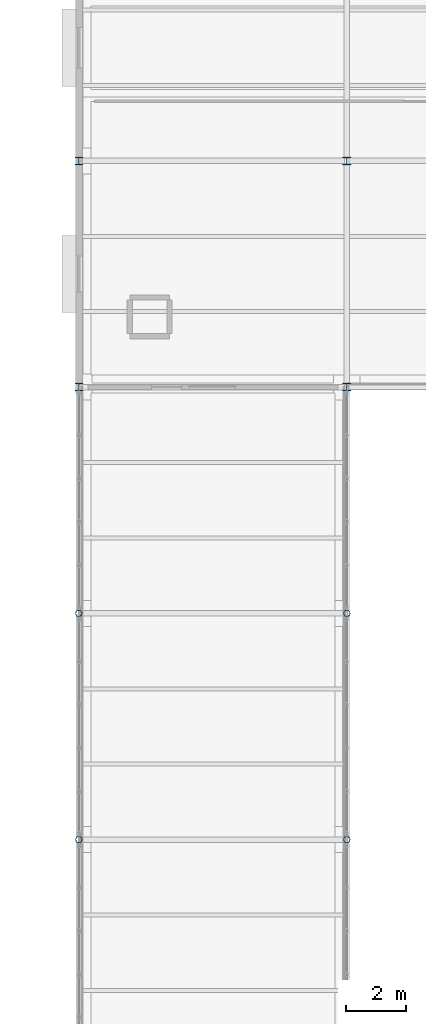
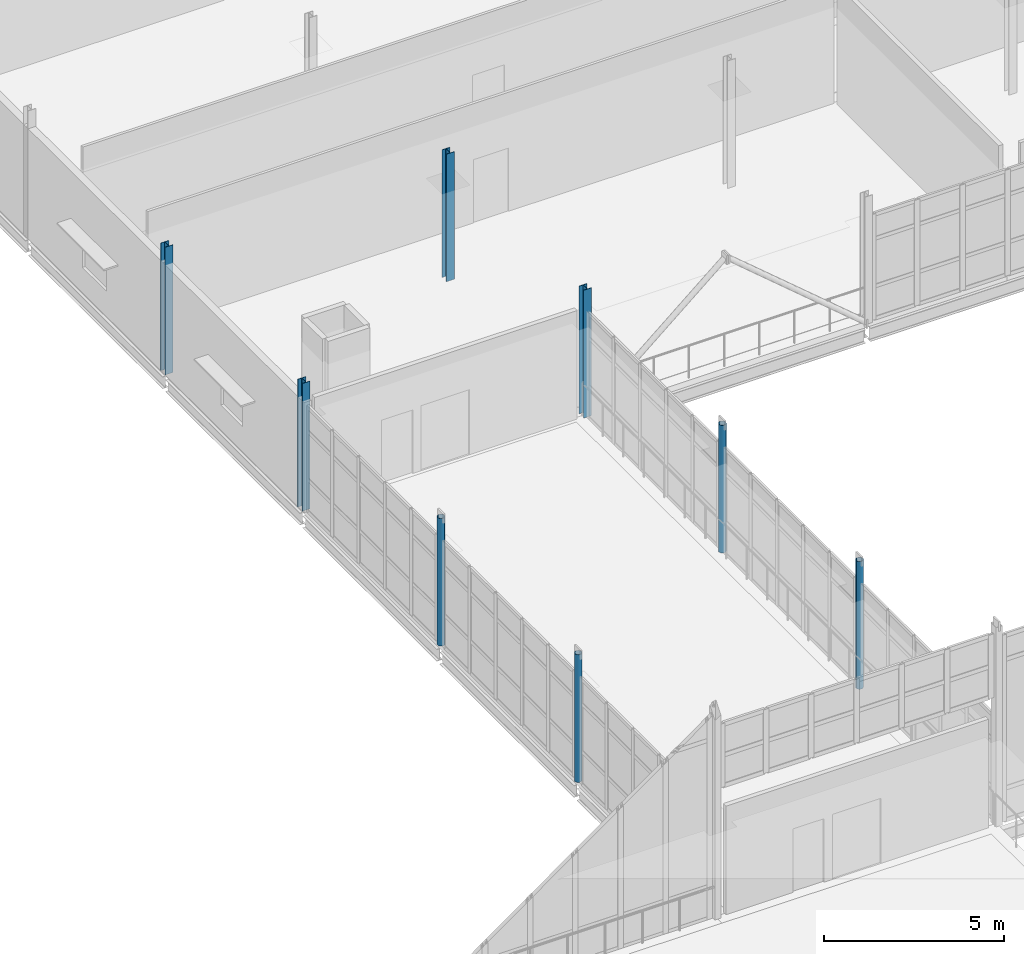
# One storey, part 11 of 166: 8 columns.
"""IFC4 building model written with IfcOpenShell, lengths in metres."""

import ifcopenshell
import ifcopenshell.guid

model = None  # the IFC model being written
_history = None  # IfcOwnerHistory: only IFC2X3 demands one
_inside = {}  # id of a spatial element -> (the spatial element, [elements in it])
_under = {}  # id of a project, library or spatial element -> (it, [spatial elements below it])
_declared = {}  # id of a project -> (the project, [libraries it declares])
_typed = {}  # id of a type object -> (the type object, [elements of that type])
_made_of = {}  # id of a material, layer set ... -> (it, [elements and type objects made of it])


def new_model(schema):
    """Start an empty IFC model of exactly this schema.

    Asked for "IFC4X3", IfcOpenShell would pick the latest addendum, in which some entities
    have other attributes; the version numbers below select the first issue.
    IFC2X3 requires an IfcOwnerHistory on every rooted entity: one is made here for all.
    """
    global model, _history
    if schema == "IFC4X3":
        model = ifcopenshell.file(schema_version=(4, 3, 0, 0))
    else:
        model = ifcopenshell.file(schema=schema)
    _inside.clear()
    _under.clear()
    _declared.clear()
    _typed.clear()
    _made_of.clear()
    _history = None
    if model.schema == "IFC2X3":
        org = make("IfcOrganization", Name="unknown")
        user = make(
            "IfcPersonAndOrganization",
            ThePerson=make("IfcPerson", FamilyName="unknown"),
            TheOrganization=org,
        )
        app = make(
            "IfcApplication",
            ApplicationDeveloper=org,
            Version="unknown",
            ApplicationFullName="unknown",
            ApplicationIdentifier="unknown",
        )
        _history = make(
            "IfcOwnerHistory",
            OwningUser=user,
            OwningApplication=app,
            ChangeAction="ADDED",
            CreationDate=0,
        )
    return model


def make(cls, **values):
    """One entity of the class cls with the attributes given. An attribute that is None is left unset."""
    return model.create_entity(
        cls, **{name: value for name, value in values.items() if value is not None}
    )


def rooted(cls, **values):
    """An entity with a GlobalId (a new one), such as an element, a storey or a relation."""
    return make(cls, GlobalId=ifcopenshell.guid.new(), OwnerHistory=_history, **values)


def si_unit(unit_type, name, prefix=None):
    """IfcSIUnit, for example si_unit("LENGTHUNIT", "METRE", prefix="MILLI")."""
    return make("IfcSIUnit", UnitType=unit_type, Prefix=prefix, Name=name)


def assignment(units):
    """IfcUnitAssignment: the units of a project."""
    return None if units is None else make("IfcUnitAssignment", Units=units)


def point(xyz):
    """IfcCartesianPoint."""
    return None if xyz is None else make("IfcCartesianPoint", Coordinates=xyz)


def direction(xyz):
    """IfcDirection."""
    return None if xyz is None else make("IfcDirection", DirectionRatios=xyz)


def frame(location, z_axis=None, x_axis=None):
    """IfcAxis2Placement3D, a coordinate frame: its origin and axes. An axis left out is left unset."""
    return make(
        "IfcAxis2Placement3D",
        Location=point(location),
        Axis=direction(z_axis),
        RefDirection=direction(x_axis),
    )


def frame_2d(location, x_axis=None):
    """IfcAxis2Placement2D, a coordinate frame in the plane: its origin and x axis."""
    return make(
        "IfcAxis2Placement2D", Location=point(location), RefDirection=direction(x_axis)
    )


def origin():
    """The frame at (0, 0, 0) with its axes left unset."""
    return frame((0.0, 0.0, 0.0))


def origin_2d():
    """The frame at (0, 0) in the plane with its x axis left unset."""
    return frame_2d((0.0, 0.0))


def place(relative_to, where):
    """IfcLocalPlacement: puts the frame where relative to a parent placement (None: the world)."""
    return make(
        "IfcLocalPlacement", PlacementRelTo=relative_to, RelativePlacement=where
    )


def context(
    kind, dimensions, precision=None, world=None, true_north=None, identifier=None
):
    """IfcGeometricRepresentationContext, for example the 3D "Model" context."""
    return make(
        "IfcGeometricRepresentationContext",
        ContextIdentifier=identifier,
        ContextType=kind,
        CoordinateSpaceDimension=dimensions,
        Precision=precision,
        WorldCoordinateSystem=world,
        TrueNorth=true_north,
    )


def subcontext(parent, identifier, kind, view, scale=None):
    """IfcGeometricRepresentationSubContext, for example "Body" below "Model"."""
    return make(
        "IfcGeometricRepresentationSubContext",
        ContextIdentifier=identifier,
        ContextType=kind,
        ParentContext=parent,
        TargetScale=scale,
        TargetView=view,
    )


def project(units=None, contexts=None):
    """IfcProject with its units and contexts."""
    return rooted(
        "IfcProject",
        Name="project",
        RepresentationContexts=contexts,
        UnitsInContext=assignment(units),
    )


def spatial(cls, under=None, at=None, **own):
    """A site, building, storey or space (cls), placed at a placement, below another one or the project."""
    s = rooted(cls, ObjectPlacement=at, **own)
    if under is not None:
        _under.setdefault(under.id(), (under, []))[1].append(s)
    return s


def profile(cls, at=None, kind="AREA", **sizes):
    """A parametric profile (cls). Its sizes go by their IFC names, for example OverallWidth=200.0."""
    return make(cls, ProfileType=kind, Position=at, **sizes)


def hollow_circle(**sizes):
    """IfcCircleHollowProfileDef."""
    return profile("IfcCircleHollowProfileDef", **sizes)


def i_section(**sizes):
    """IfcIShapeProfileDef."""
    return profile("IfcIShapeProfileDef", **sizes)


def extrude(swept, where, along, depth):
    """IfcExtrudedAreaSolid: the profile swept, set in the frame where, extruded along a direction by depth."""
    return make(
        "IfcExtrudedAreaSolid",
        SweptArea=swept,
        Position=where,
        ExtrudedDirection=direction(along),
        Depth=depth,
    )


def shape(context_of_items, identifier, shape_type, items):
    """IfcShapeRepresentation: the items that make up one representation, for example the "Body"."""
    return make(
        "IfcShapeRepresentation",
        ContextOfItems=context_of_items,
        RepresentationIdentifier=identifier,
        RepresentationType=shape_type,
        Items=items,
    )


def material(Name=None, Category=None):
    """IfcMaterial."""
    return make("IfcMaterial", Name=Name, Category=Category)


def material_profile(
    of_material, cross_section, Name=None, Category=None, Priority=None
):
    """IfcMaterialProfile: a cross section and its material."""
    return make(
        "IfcMaterialProfile",
        Name=Name,
        Material=of_material,
        Profile=cross_section,
        Priority=Priority,
        Category=Category,
    )


def profile_set(profiles, Name=None, composite=None):
    """IfcMaterialProfileSet."""
    return make(
        "IfcMaterialProfileSet",
        Name=Name,
        MaterialProfiles=profiles,
        CompositeProfile=composite,
    )


def made_of(thing, what):
    """Note that an element or type object is made of a material, layer set ...; save() writes the relation."""
    if what is not None:
        _made_of.setdefault(what.id(), (what, []))[1].append(thing)
    return thing


def type_object(cls, material=None, **own):
    """A type object (cls), such as IfcWallType, which elements share."""
    return made_of(rooted(cls, **own), material)


def element(
    cls,
    number,
    at=None,
    inside=None,
    cuts=None,
    type_object=None,
    material=None,
    context=None,
    identifier="Body",
    shape_type=None,
    held_by="IfcProductDefinitionShape",
    body=None,
    shapes=None,
    **own,
):
    """One element of the class cls, such as IfcWall. Its Tag is "e" and its number.

    at: its placement. inside: the storey or other place that contains it. cuts: it is an
    opening in that element (IfcRelVoidsElement). A single representation is given by context,
    identifier, shape_type and body (its items); several are given by shapes. held_by: the class
    of the entity that holds the representations. save() writes the other relations.
    """
    e = rooted(cls, Tag="e%d" % number, ObjectPlacement=at, **own)
    if body is not None:
        shapes = [shape(context, identifier, shape_type, body)]
    if shapes is not None:
        e.Representation = make(held_by, Representations=shapes)
    if inside is not None:
        _inside.setdefault(inside.id(), (inside, []))[1].append(e)
    if cuts is not None:
        rooted(
            "IfcRelVoidsElement", RelatingBuildingElement=cuts, RelatedOpeningElement=e
        )
    if type_object is not None:
        _typed.setdefault(type_object.id(), (type_object, []))[1].append(e)
    return made_of(e, material)


def aggregate(whole, parts):
    """IfcRelAggregates: a whole, such as a stair, and the parts it consists of."""
    return rooted("IfcRelAggregates", RelatingObject=whole, RelatedObjects=parts)


def save(model, path):
    """Write the relations noted so far, then the file.

    IfcRelAggregates (storeys below a building ...), IfcRelContainedInSpatialStructure (elements
    in a storey), IfcRelDefinesByType, IfcRelAssociatesMaterial and IfcRelDeclares: one each for
    every whole, place, type object, material and project.
    """
    for whole, parts in _under.values():
        aggregate(whole, parts)
    for where, things in _inside.values():
        rooted(
            "IfcRelContainedInSpatialStructure",
            RelatedElements=things,
            RelatingStructure=where,
        )
    for kind, things in _typed.values():
        rooted("IfcRelDefinesByType", RelatedObjects=things, RelatingType=kind)
    for what, things in _made_of.values():
        rooted("IfcRelAssociatesMaterial", RelatedObjects=things, RelatingMaterial=what)
    for by, libraries in _declared.values():
        rooted("IfcRelDeclares", RelatingContext=by, RelatedDefinitions=libraries)
    model.write(path)


model = new_model("IFC4")

# Units and contexts
model_context = context("Model", 3, precision=1e-05, world=origin(), true_north=direction((0.0, 1.0)))
body_context = subcontext(model_context, "Body", "Model", "MODEL_VIEW")
ifc_project = project(units=[si_unit("LENGTHUNIT", "METRE"), si_unit("AREAUNIT", "SQUARE_METRE"), si_unit("VOLUMEUNIT", "CUBIC_METRE"), si_unit("PLANEANGLEUNIT", "RADIAN"), si_unit("MASSUNIT", "GRAM", prefix="KILO")], contexts=[model_context])

# Site, building, storey
site_placement = place(None, origin())
site = spatial("IfcSite", under=ifc_project, at=site_placement, CompositionType="ELEMENT")
building_placement = place(site_placement, origin())
building = spatial("IfcBuilding", under=site, at=building_placement, Name="Caisbarro Railhouse Central Library", CompositionType="ELEMENT")
storey_placement = place(building_placement, frame((0.0, 0.0, 9.360107421875)))
storey = spatial("IfcBuildingStorey", under=building, at=storey_placement, Name="L02", CompositionType="ELEMENT", Elevation=9.360107421875)

# Columns
ifc_material = material(Name="Steel ASTM A572 Grade 50", Category="steel")
ifc_material_profile_1 = material_profile(ifc_material, i_section(OverallWidth=0.25390625, OverallDepth=0.2529296875, WebThickness=0.008544921875, FlangeThickness=0.01416015625, FilletRadius=0.011962890625, at=origin_2d()), Name="W250X73.0")
ifc_profile_set_1 = profile_set([ifc_material_profile_1], Name="Steel ASTM A572 Grade 50")
column_type_1 = type_object("IfcColumnType", Name="COL-C08", PredefinedType="COLUMN", material=ifc_profile_set_1)
for number, where, z_axis, x_axis, name in (
    (1, (54.0, 83.60009765625, 0.0), (0.0, 0.0, 1.0), (1.0, 0.0, 0.0), "C08 column L02 (54.0,83.6)"),
    (2, (54.0, 91.199951171875, 0.0), (0.0, 0.0, 1.0), (1.0, 0.0, 0.0), "C08 column L02 (54.0,91.2)"),
    (3, (63.0, 83.60009765625, 0.0), (0.0, 0.0, 1.0), (1.0, 0.0, 0.0), "C08 column L02 (63.0,83.6)"),
    (4, (63.0, 91.199951171875, 0.0), (0.0, 0.0, 1.0), (1.0, 0.0, 0.0), "C08 column L02 (63.0,91.2)"),
):
    element("IfcColumn", number, at=place(storey_placement, frame(where, z_axis=z_axis, x_axis=x_axis)), inside=storey, type_object=column_type_1, Name=name, PredefinedType="COLUMN", context=body_context, shape_type="SweptSolid", body=[
        extrude(i_section(OverallWidth=0.25390625, OverallDepth=0.2529296875, WebThickness=0.008544921875, FlangeThickness=0.01416015625, FilletRadius=0.011962890625, at=origin_2d()), origin(), (0.0, 0.0, 1.0), 4.31982421875),
    ])
ifc_material_profile_2 = material_profile(ifc_material, hollow_circle(Radius=0.109619140625, WallThickness=0.010009765625, at=origin_2d()), Name="CHS219.1X10")
ifc_profile_set_2 = profile_set([ifc_material_profile_2], Name="Steel ASTM A572 Grade 50")
column_type_2 = type_object("IfcColumnType", Name="COL-C13", PredefinedType="COLUMN", material=ifc_profile_set_2)
for number, where, z_axis, x_axis, name in (
    (5, (54.0, 68.39990234375, 0.0), (0.0, 0.0, 1.0), (1.0, 0.0, 0.0), "C13 column L02 (54.0,68.4)"),
    (6, (54.0, 76.0, 0.0), (0.0, 0.0, 1.0), (1.0, 0.0, 0.0), "C13 column L02 (54.0,76.0)"),
    (7, (63.0, 68.39990234375, 0.0), (0.0, 0.0, 1.0), (1.0, 0.0, 0.0), "C13 column L02 (63.0,68.4)"),
    (8, (63.0, 76.0, 0.0), (0.0, 0.0, 1.0), (1.0, 0.0, 0.0), "C13 column L02 (63.0,76.0)"),
):
    element("IfcColumn", number, at=place(storey_placement, frame(where, z_axis=z_axis, x_axis=x_axis)), inside=storey, type_object=column_type_2, Name=name, PredefinedType="COLUMN", context=body_context, shape_type="SweptSolid", body=[
        extrude(hollow_circle(Radius=0.109619140625, WallThickness=0.010009765625, at=origin_2d()), origin(), (0.0, 0.0, 1.0), 4.31982421875),
    ])

save(model, "model.ifc")
